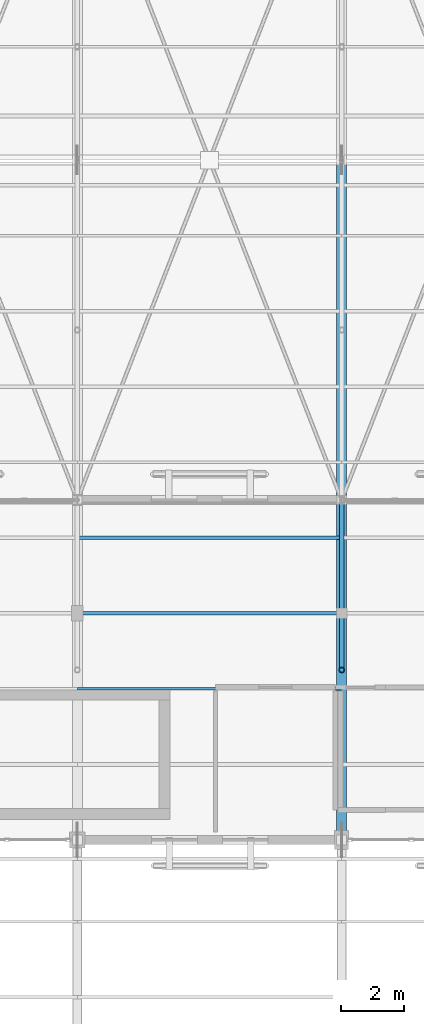
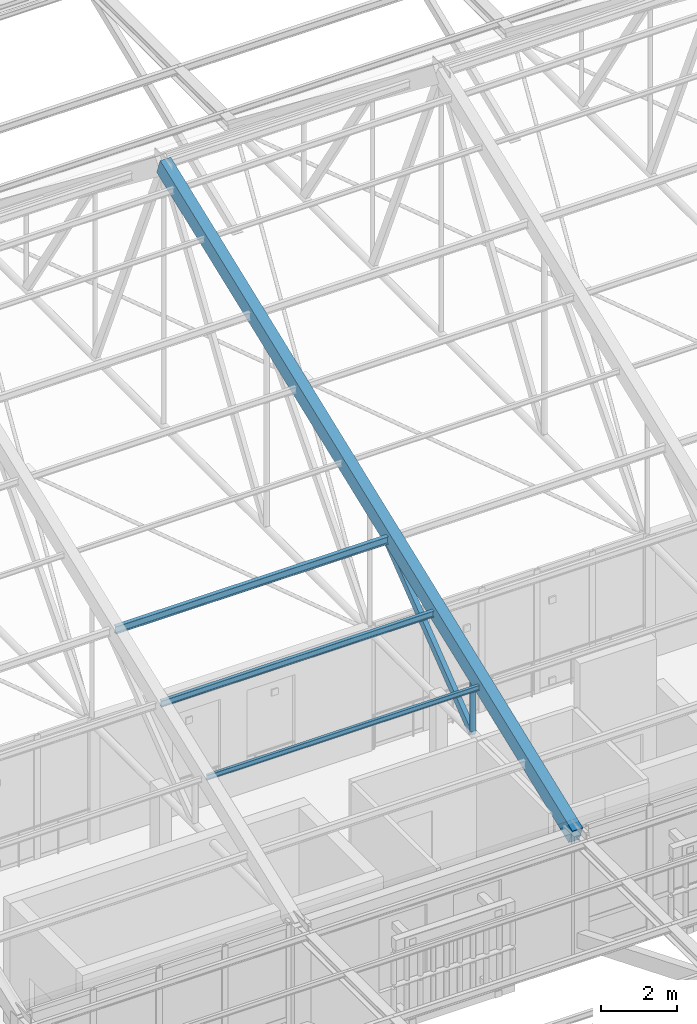
# One storey, part 83 of 217: 6 members.
"""IFC4 building model written with IfcOpenShell, lengths in metres."""

from ifc_helpers import new_model, si_unit, direction, frame, origin, origin_2d, place, context, subcontext, project, spatial, rectangle, hollow_rectangle, hollow_circle, i_section, extrude, material, material_profile, profile_set, type_object, element, save


model = new_model("IFC4")

# Units and contexts
model_context = context("Model", 3, precision=1e-05, world=origin(), true_north=direction((0.0, 1.0)))
body_context = subcontext(model_context, "Body", "Model", "MODEL_VIEW")
ifc_project = project(units=[si_unit("LENGTHUNIT", "METRE"), si_unit("AREAUNIT", "SQUARE_METRE"), si_unit("VOLUMEUNIT", "CUBIC_METRE"), si_unit("PLANEANGLEUNIT", "RADIAN"), si_unit("MASSUNIT", "GRAM", prefix="KILO")], contexts=[model_context])

# Site, building, storey
site_placement = place(None, origin())
site = spatial("IfcSite", under=ifc_project, at=site_placement, CompositionType="ELEMENT")
building_placement = place(site_placement, origin())
building = spatial("IfcBuilding", under=site, at=building_placement, Name="Mazaris Harbour Polytechnic", CompositionType="ELEMENT")
storey_placement = place(building_placement, frame((0.0, 0.0, 9.60009765625)))
storey = spatial("IfcBuildingStorey", under=building, at=storey_placement, Name="L02", CompositionType="ELEMENT", Elevation=9.60009765625)

# Members
ifc_material_1 = material(Name="Glulam GL32h", Category="wood")
ifc_material_profile_1 = material_profile(ifc_material_1, rectangle(XDim=0.320068359375, YDim=0.52001953125, at=origin_2d()), Name="RECT320x520")
ifc_profile_set_1 = profile_set([ifc_material_profile_1], Name="Glulam GL32h")
member_type_1 = type_object("IfcMemberType", Name="Glulam Top Chord 320x520", PredefinedType="CHORD", material=ifc_profile_set_1)
member_1_placement = place(storey_placement, frame((70.800048828125, 75.60009765625, 3.75), z_axis=(0.0, 0.93273343771, 0.360566684786), x_axis=(-1.0, 0.0, 0.0)))
element("IfcMember", 1, at=member_1_placement, inside=storey, type_object=member_type_1, Name="Truss 3 South Glulam Top Chord", PredefinedType="CHORD", context=body_context, shape_type="SweptSolid", body=[
    extrude(rectangle(XDim=0.320068359375, YDim=0.52001953125, at=origin_2d()), origin(), (0.0, 0.0, 1.0), 23.157470703125),
])
ifc_material_2 = material(Name="Steel S355", Category="steel")
ifc_material_profile_2 = material_profile(ifc_material_2, i_section(OverallWidth=0.08203125, OverallDepth=0.159912109375, WebThickness=0.0048828125, FlangeThickness=0.00732421875, FilletRadius=0.009033203125, at=origin_2d()), Name="IPE 160")
ifc_profile_set_2 = profile_set([ifc_material_profile_2], Name="Steel S355")
member_type_2 = type_object("IfcMemberType", Name="Steel Purlin IPE160", PredefinedType="PURLIN", material=ifc_profile_set_2)
member_2_placement = place(storey_placement, frame((62.39990234375, 80.39990234375, 5.637939453125), z_axis=(1.0, 0.0, 0.0), x_axis=(0.0, 1.0, 0.0)))
element("IfcMember", 2, at=member_2_placement, inside=storey, type_object=member_type_2, Name="V1 Roof Purlin S-27", PredefinedType="PURLIN", context=body_context, shape_type="SweptSolid", body=[
    extrude(i_section(OverallWidth=0.08203125, OverallDepth=0.159912109375, WebThickness=0.0048828125, FlangeThickness=0.00732421875, FilletRadius=0.009033203125, at=origin_2d()), origin(), (0.0, 0.0, 1.0), 8.400146484375),
])
ifc_material_3 = material(Name="Steel S355", Category="steel")
ifc_material_profile_3 = material_profile(ifc_material_3, i_section(OverallWidth=0.10009765625, OverallDepth=0.199951171875, WebThickness=0.005615234375, FlangeThickness=0.008544921875, FilletRadius=0.011962890625, at=origin_2d()), Name="IPE 200")
ifc_profile_set_3 = profile_set([ifc_material_profile_3], Name="Steel S355")
member_type_3 = type_object("IfcMemberType", Name="Steel Purlin IPE200", PredefinedType="PURLIN", material=ifc_profile_set_3)
member_3_placement = place(storey_placement, frame((62.39990234375, 82.800048828125, 6.544921875), z_axis=(1.0, 0.0, 0.0), x_axis=(0.0, 1.0, 0.0)))
element("IfcMember", 3, at=member_3_placement, inside=storey, type_object=member_type_3, Name="V1 Roof Purlin S-28", PredefinedType="PURLIN", context=body_context, shape_type="SweptSolid", body=[
    extrude(i_section(OverallWidth=0.10009765625, OverallDepth=0.199951171875, WebThickness=0.005615234375, FlangeThickness=0.008544921875, FilletRadius=0.011962890625, at=origin_2d()), origin(), (0.0, 0.0, 1.0), 8.400146484375),
])
ifc_material_4 = material(Name="Steel S355", Category="steel")
ifc_material_profile_4 = material_profile(ifc_material_4, i_section(OverallWidth=0.1201171875, OverallDepth=0.239990234375, WebThickness=0.006103515625, FlangeThickness=0.009765625, FilletRadius=0.014892578125, at=origin_2d()), Name="IPE 240")
ifc_profile_set_4 = profile_set([ifc_material_profile_4], Name="Steel S355")
member_type_4 = type_object("IfcMemberType", Name="Steel Purlin IPE240", PredefinedType="PURLIN", material=ifc_profile_set_4)
member_4_placement = place(storey_placement, frame((62.39990234375, 85.199951171875, 7.451171875), z_axis=(1.0, 0.0, 0.0), x_axis=(0.0, 1.0, 0.0)))
element("IfcMember", 4, at=member_4_placement, inside=storey, type_object=member_type_4, Name="V1 Roof Purlin S-29", PredefinedType="PURLIN", context=body_context, shape_type="SweptSolid", body=[
    extrude(i_section(OverallWidth=0.1201171875, OverallDepth=0.239990234375, WebThickness=0.006103515625, FlangeThickness=0.009765625, FilletRadius=0.014892578125, at=origin_2d()), origin(), (0.0, 0.0, 1.0), 8.400146484375),
])
ifc_material_5 = material(Name="Steel S355", Category="steel")
ifc_material_profile_5 = material_profile(ifc_material_5, hollow_rectangle(XDim=0.139892578125, YDim=0.239990234375, WallThickness=0.010009765625, at=origin_2d()), Name="RHS 140x240x10.0")
ifc_profile_set_5 = profile_set([ifc_material_profile_5], Name="Steel S355")
member_type_5 = type_object("IfcMemberType", Name="Steel Truss Diagonal RHS140x240", PredefinedType="BRACE", material=ifc_profile_set_5)
member_5_placement = place(storey_placement, frame((70.800048828125, 81.0, 3.75), z_axis=(0.0, 0.791132369746, 0.611644973445), x_axis=(-1.0, 0.0, 0.0)))
element("IfcMember", 5, at=member_5_placement, inside=storey, type_object=member_type_5, Name="Truss 3 Web Diagonal S2", PredefinedType="BRACE", context=body_context, shape_type="SweptSolid", body=[
    extrude(hollow_rectangle(XDim=0.139892578125, YDim=0.239990234375, WallThickness=0.010009765625, at=origin_2d()), origin(), (0.0, 0.0, 1.0), 6.825439453125),
])
ifc_material_6 = material(Name="Steel S355", Category="steel")
ifc_material_profile_6 = material_profile(ifc_material_6, hollow_circle(Radius=0.084228515625, WallThickness=0.008056640625, at=origin_2d()), Name="CHS 168.3x8.0")
ifc_profile_set_6 = profile_set([ifc_material_profile_6], Name="Steel S355")
member_type_6 = type_object("IfcMemberType", Name="Steel Truss Strut CHS168", PredefinedType="STRUT", material=ifc_profile_set_6)
member_6_placement = place(storey_placement, frame((70.800048828125, 81.0, 3.75), z_axis=(0.0, 0.0, 1.0), x_axis=(1.0, 0.0, 0.0)))
element("IfcMember", 6, at=member_6_placement, inside=storey, type_object=member_type_6, Name="Truss 3 Web Post S1", PredefinedType="STRUT", context=body_context, shape_type="SweptSolid", body=[
    extrude(hollow_circle(Radius=0.084228515625, WallThickness=0.008056640625, at=origin_2d()), origin(), (0.0, 0.0, 1.0), 2.08740234375),
])

save(model, "model.ifc")
